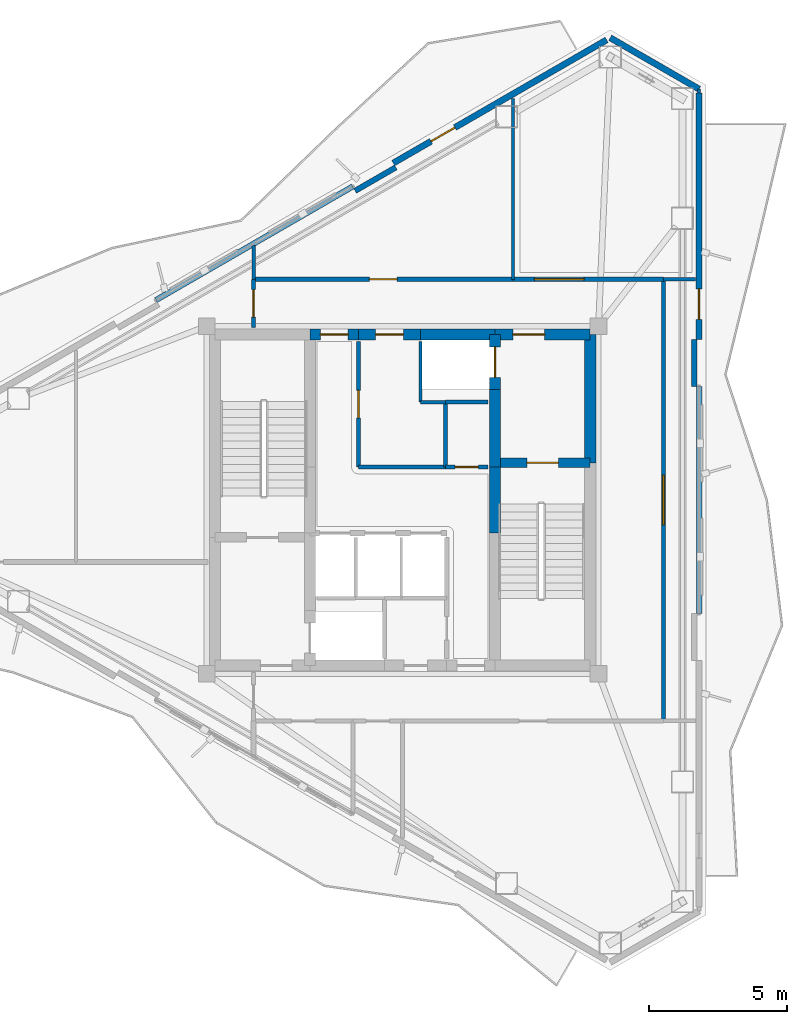
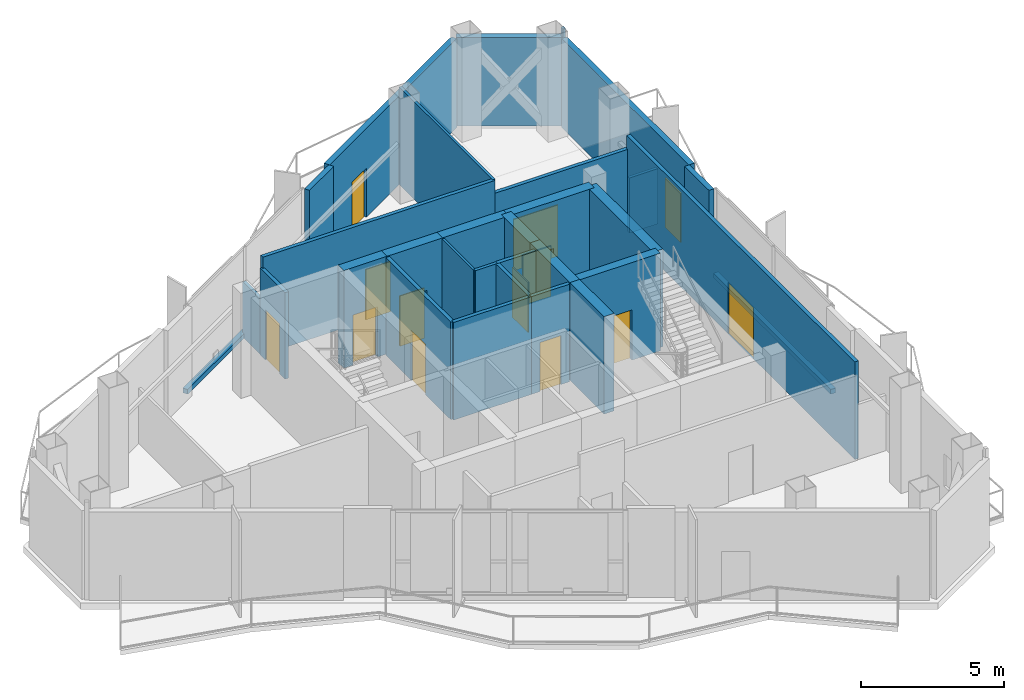
# One storey, part 11 of 14: 31 walls, 13 doors, 13 openings.
"""IFC4 building model written with IfcOpenShell, lengths in metres."""

from ifc_helpers import new_model, si_unit, direction, frame, frame_2d, origin, place, context, subcontext, project, spatial, rectangle, extrude, material, layer, layer_set, type_object, element, fill, save


model = new_model("IFC4")

# Units and contexts
model_context = context("Model", 3, precision=1e-05, world=origin(), true_north=direction((0.0, 1.0)))
body_context = subcontext(model_context, "Body", "Model", "MODEL_VIEW")
ifc_project = project(units=[si_unit("LENGTHUNIT", "METRE"), si_unit("AREAUNIT", "SQUARE_METRE"), si_unit("VOLUMEUNIT", "CUBIC_METRE"), si_unit("PLANEANGLEUNIT", "RADIAN"), si_unit("MASSUNIT", "GRAM", prefix="KILO")], contexts=[model_context])

# Site, building, storey
site_placement = place(None, origin())
site = spatial("IfcSite", under=ifc_project, at=site_placement, CompositionType="ELEMENT")
building_placement = place(site_placement, origin())
building = spatial("IfcBuilding", under=site, at=building_placement, Name="Mersakhor Tower and Convention Hall", CompositionType="ELEMENT")
storey_placement = place(building_placement, frame((0.0, 0.0, 254.10009765625)))
storey = spatial("IfcBuildingStorey", under=building, at=storey_placement, Name="L71", CompositionType="ELEMENT", Elevation=254.10009765625)

# Wall
ifc_material_1 = material(Name="Precast concrete C40/50", Category="concrete")
ifc_layer_1 = layer(ifc_material_1, 0.22509765625)
ifc_layer_set_1 = layer_set([ifc_layer_1], Name="Precast concrete C40/50")
wall_type_1 = type_object("IfcWallType", Name="WL-EXT-225", PredefinedType="SOLIDWALL", material=ifc_layer_set_1)
wall_1_placement = place(storey_placement, frame((36.525146484375, 43.49951171875, 0.0), z_axis=(0.0, 0.0, 1.0), x_axis=(0.866038962515, -0.499976514854, 0.0)))
element("IfcWall", 1, at=wall_1_placement, inside=storey, type_object=wall_type_1, Name="L71 Chamfer Braced Spandrel Wall C1", PredefinedType="SOLIDWALL", context=body_context, shape_type="SweptSolid", body=[
    extrude(rectangle(XDim=3.715576171875, YDim=0.22509765625, at=frame_2d((1.85791015625, 0.0))), origin(), (0.0, 0.0, 1.0), 3.7998046875),
])

# Wall, opening, door
wall_2_placement = place(storey_placement, frame((28.66357421875, 38.96044921875, 0.0), z_axis=(0.0, 0.0, 1.0), x_axis=(0.866026655105, 0.499997832642, 0.0)))
wall_2 = element("IfcWall", 2, at=wall_2_placement, inside=storey, type_object=wall_type_1, Name="L71 Exterior Facade Wall F1-B3", PredefinedType="SOLIDWALL", context=body_context, shape_type="SweptSolid", body=[
    extrude(rectangle(XDim=8.927734375, YDim=0.22509765625, at=frame_2d((4.4638671875, 0.0))), origin(), (0.0, 0.0, 1.0), 3.7998046875),
])
opening_1_placement = place(wall_2_placement, frame((1.575927734375, 0.0, 0.0)))
opening_1 = element("IfcOpeningElement", 3, at=opening_1_placement, cuts=wall_2, Name="Opening BD-01", PredefinedType="OPENING", context=body_context, shape_type="SweptSolid", body=[
    extrude(rectangle(XDim=1.0, YDim=2.10009765625, at=frame_2d((0.5, 1.050048828125))), frame((0.0, 0.12255859375, 0.0), z_axis=(0.0, -1.0, 0.0), x_axis=(1.0, 0.0, 0.0)), (0.0, 0.0, 1.0), 0.2451171875),
])
ifc_material_2 = material(Name="Thermally broken dark aluminium and safety glass", Category="aluminium")
door_type_1 = type_object("IfcDoorType", Name="DR-BAL-100x210", OperationType="NOTDEFINED", PredefinedType="DOOR", material=ifc_material_2)
door_1_placement = place(opening_1_placement, origin())
door_1 = element("IfcDoor", 4, at=door_1_placement, inside=storey, type_object=door_type_1, Name="L71 Balcony Terrace Door F1-B3", OperationType="SINGLE_SWING_LEFT", OverallHeight=2.10009765625, OverallWidth=1.0, PredefinedType="DOOR", context=body_context, shape_type="SweptSolid", body=[
    extrude(rectangle(XDim=1.0, YDim=2.10009765625, at=frame_2d((0.5, 1.050048828125))), frame((0.0, 0.02490234375, 0.0), z_axis=(0.0, -1.0, 0.0), x_axis=(1.0, 0.0, 0.0)), (0.0, 0.0, 1.0), 0.050048828125),
])
fill(opening_1, door_1)

wall_3_placement = place(storey_placement, frame((39.742919921875, 41.49169921875, 0.0), z_axis=(0.0, 0.0, 1.0), x_axis=(0.0, -1.0, 0.0)))
wall_3 = element("IfcWall", 5, at=wall_3_placement, inside=storey, type_object=wall_type_1, Name="L71 Exterior Facade Wall F2-B1", PredefinedType="SOLIDWALL", context=body_context, shape_type="SweptSolid", body=[
    extrude(rectangle(XDim=8.927734375, YDim=0.22509765625, at=frame_2d((4.4638671875, 0.0))), origin(), (0.0, 0.0, 1.0), 3.7998046875),
])
opening_2_placement = place(wall_3_placement, frame((7.090087890625, 0.0, 0.0)))
opening_2 = element("IfcOpeningElement", 6, at=opening_2_placement, cuts=wall_3, Name="Opening BD-02", PredefinedType="OPENING", context=body_context, shape_type="SweptSolid", body=[
    extrude(rectangle(XDim=1.10009765625, YDim=2.10009765625, at=frame_2d((0.550048828125, 1.050048828125))), frame((0.0, 0.12255859375, 0.0), z_axis=(0.0, -1.0, 0.0), x_axis=(1.0, 0.0, 0.0)), (0.0, 0.0, 1.0), 0.2451171875),
])
ifc_material_3 = material(Name="Thermally broken dark aluminium and safety glass", Category="aluminium")
door_type_2 = type_object("IfcDoorType", Name="DR-BAL-110x210", OperationType="NOTDEFINED", PredefinedType="DOOR", material=ifc_material_3)
door_2_placement = place(opening_2_placement, origin())
door_2 = element("IfcDoor", 7, at=door_2_placement, inside=storey, type_object=door_type_2, Name="L71 Balcony Terrace Door F2-B1", OperationType="SINGLE_SWING_RIGHT", OverallHeight=2.10009765625, OverallWidth=1.10009765625, PredefinedType="DOOR", context=body_context, shape_type="SweptSolid", body=[
    extrude(rectangle(XDim=1.10009765625, YDim=2.10009765625, at=frame_2d((0.550048828125, 1.050048828125))), frame((0.0, 0.02490234375, 0.0), z_axis=(0.0, -1.0, 0.0), x_axis=(1.0, 0.0, 0.0)), (0.0, 0.0, 1.0), 0.050048828125),
])
fill(opening_2, door_2)

# Walls
ifc_material_4 = material(Name="Precast concrete C40/50", Category="concrete")
ifc_layer_2 = layer(ifc_material_4, 0.199951171875)
ifc_layer_set_2 = layer_set([ifc_layer_2], Name="Precast concrete C40/50")
wall_type_2 = type_object("IfcWallType", Name="WL-PAR-200", PredefinedType="PARAPET", material=ifc_layer_set_2)
wall_4_placement = place(storey_placement, frame((20.06591796875, 33.99658203125, 0.0), z_axis=(0.0, 0.0, 1.0), x_axis=(0.866019557082, 0.500010126649, 0.0)))
element("IfcWall", 8, at=wall_4_placement, inside=storey, type_object=wall_type_2, Name="L71 Curtain Wall Upstand Sill F1-B2", PredefinedType="PARAPET", context=body_context, shape_type="SweptSolid", body=[
    extrude(rectangle(XDim=8.227783203125, YDim=0.199951171875, at=frame_2d((4.11376953125, 0.0))), origin(), (0.0, 0.0, 1.0), 0.199951171875),
])
wall_5_placement = place(storey_placement, frame((27.28125, 37.95458984375, 0.0), z_axis=(0.0, 0.0, 1.0), x_axis=(0.866025371046, 0.500000056704, 0.0)))
element("IfcWall", 9, at=wall_5_placement, inside=storey, type_object=wall_type_2, Name="L71 Column Pier Cladding Wall F1-C2", PredefinedType="PARAPET", context=body_context, shape_type="SweptSolid", body=[
    extrude(rectangle(XDim=1.7001953125, YDim=0.199951171875, at=frame_2d((0.85009765625, 0.0))), origin(), (0.0, 0.0, 1.0), 3.7998046875),
])
wall_6_placement = place(storey_placement, frame((39.742919921875, 30.864013671875, 0.0), z_axis=(0.0, 0.0, 1.0), x_axis=(0.0, -1.0, 0.0)))
element("IfcWall", 10, at=wall_6_placement, inside=storey, type_object=wall_type_2, Name="L71 Curtain Wall Upstand Sill F2-B2", PredefinedType="PARAPET", context=body_context, shape_type="SweptSolid", body=[
    extrude(rectangle(XDim=8.22802734375, YDim=0.199951171875, at=frame_2d((4.114013671875, 0.0))), origin(), (0.0, 0.0, 1.0), 0.199951171875),
])
wall_7_placement = place(storey_placement, frame((39.562744140625, 32.56396484375, 0.0), z_axis=(0.0, 0.0, 1.0), x_axis=(0.0, -1.0, 0.0)))
element("IfcWall", 11, at=wall_7_placement, inside=storey, type_object=wall_type_2, Name="L71 Column Pier Cladding Wall F2-C1", PredefinedType="PARAPET", context=body_context, shape_type="SweptSolid", body=[
    extrude(rectangle(XDim=1.699951171875, YDim=0.199951171875, at=frame_2d((0.85009765625, 0.0))), origin(), (0.0, 0.0, 1.0), 3.7998046875),
])
ifc_material_5 = material(Name="Lightweight gypsum partition", Category="other")
ifc_layer_3 = layer(ifc_material_5, 0.10009765625)
ifc_layer_set_3 = layer_set([ifc_layer_3], Name="Lightweight gypsum partition")
wall_type_3 = type_object("IfcWallType", Name="WL-PRT-100", PredefinedType="PARTITIONING", material=ifc_layer_set_3)
wall_8_placement = place(storey_placement, frame((29.64990234375, 30.300048828125, 0.0), z_axis=(0.0, 0.0, 1.0), x_axis=(0.0, 1.0, 0.0)))
element("IfcWall", 12, at=wall_8_placement, inside=storey, type_object=wall_type_3, Name="L71 Interior Partition Wall P-006", PredefinedType="PARTITIONING", context=body_context, shape_type="SweptSolid", body=[
    extrude(rectangle(XDim=2.199951171875, YDim=0.10009765625, at=frame_2d((1.10009765625, 0.0))), origin(), (0.0, 0.0, 1.0), 4.179931640625),
])
wall_9_placement = place(storey_placement, frame((33.0, 41.306396484375, 0.0), z_axis=(0.0, 0.0, 1.0), x_axis=(0.0, -1.0, 0.0)))
element("IfcWall", 13, at=wall_9_placement, inside=storey, type_object=wall_type_3, Name="L71 Interior Partition Wall P-030", PredefinedType="PARTITIONING", context=body_context, shape_type="SweptSolid", body=[
    extrude(rectangle(XDim=6.556396484375, YDim=0.10009765625, at=frame_2d((3.2783203125, 0.0))), origin(), (0.0, 0.0, 1.0), 4.179931640625),
])
wall_10_placement = place(storey_placement, frame((39.742919921875, 41.64208984375, 0.0), z_axis=(0.0, 0.0, 1.0), x_axis=(0.0, -1.0, 0.0)))
element("IfcWall", 14, at=wall_10_placement, inside=storey, type_object=wall_type_3, Name="L71 Interior Partition Wall P-032", PredefinedType="PARTITIONING", context=body_context, shape_type="SweptSolid", body=[
    extrude(rectangle(XDim=0.150390625, YDim=0.10009765625, at=frame_2d((0.0751953125, 0.0))), origin(), (0.0, 0.0, 1.0), 4.179931640625),
])
ifc_material_6 = material(Name="Gypsum board acoustic partition", Category="other")
ifc_layer_4 = layer(ifc_material_6, 0.125)
ifc_layer_set_4 = layer_set([ifc_layer_4], Name="Gypsum board acoustic partition")
wall_type_4 = type_object("IfcWallType", Name="WL-PRT-125", PredefinedType="PARTITIONING", material=ifc_layer_set_4)
wall_11_placement = place(storey_placement, frame((30.550048828125, 30.300048828125, 0.0), z_axis=(0.0, 0.0, 1.0), x_axis=(-1.0, 0.0, 0.0)))
element("IfcWall", 15, at=wall_11_placement, inside=storey, type_object=wall_type_4, Name="L71 Interior Partition Wall P-005", PredefinedType="PARTITIONING", context=body_context, shape_type="SweptSolid", body=[
    extrude(rectangle(XDim=0.900146484375, YDim=0.125, at=frame_2d((0.4501953125, 0.0))), origin(), (0.0, 0.0, 1.0), 4.179931640625),
])
wall_12_placement = place(storey_placement, frame((23.60009765625, 34.75, 0.0), z_axis=(0.0, 0.0, 1.0), x_axis=(0.0, 1.0, 0.0)))
element("IfcWall", 16, at=wall_12_placement, inside=storey, type_object=wall_type_4, Name="L71 Interior Partition Wall P-029", PredefinedType="PARTITIONING", context=body_context, shape_type="SweptSolid", body=[
    extrude(rectangle(XDim=1.229248046875, YDim=0.125, at=frame_2d((0.61474609375, 0.0))), origin(), (0.0, 0.0, 1.0), 2.364990234375),
])
wall_13_placement = place(storey_placement, frame((39.606201171875, 34.75, 0.0), z_axis=(0.0, 0.0, 1.0), x_axis=(-1.0, 0.0, 0.0)))
element("IfcWall", 17, at=wall_13_placement, inside=storey, type_object=wall_type_4, Name="L71 Interior Partition Wall P-031", PredefinedType="PARTITIONING", context=body_context, shape_type="SweptSolid", body=[
    extrude(rectangle(XDim=1.15625, YDim=0.125, at=frame_2d((0.578125, 0.0))), origin(), (0.0, 0.0, 1.0), 2.364990234375),
])
ifc_material_7 = material(Name="Fire-rated gypsum board stud partition", Category="other")
ifc_layer_5 = layer(ifc_material_7, 0.14990234375)
ifc_layer_set_5 = layer_set([ifc_layer_5], Name="Fire-rated gypsum board stud partition")
wall_type_5 = type_object("IfcWallType", Name="WL-PRT-150", PredefinedType="PARTITIONING", material=ifc_layer_set_5)
wall_14_placement = place(storey_placement, frame((32.10009765625, 30.300048828125, 0.0), z_axis=(0.0, 0.0, 1.0), x_axis=(-1.0, 0.0, 0.0)))
element("IfcWall", 18, at=wall_14_placement, inside=storey, type_object=wall_type_5, Name="L71 Interior Partition Wall P-004", PredefinedType="PARTITIONING", context=body_context, shape_type="SweptSolid", body=[
    extrude(rectangle(XDim=1.550048828125, YDim=0.14990234375, at=frame_2d((0.77490234375, 0.0))), origin(), (0.0, 0.0, 1.0), 4.179931640625),
])

# Wall, opening, door
wall_15_placement = place(storey_placement, frame((27.39990234375, 32.5, 0.0), z_axis=(0.0, 0.0, 1.0), x_axis=(0.0, -1.0, 0.0)))
wall_15 = element("IfcWall", 19, at=wall_15_placement, inside=storey, type_object=wall_type_5, Name="L71 Interior Partition Wall P-013", PredefinedType="PARTITIONING", context=body_context, shape_type="SweptSolid", body=[
    extrude(rectangle(XDim=4.550048828125, YDim=0.14990234375, at=frame_2d((2.27490234375, 0.0))), origin(), (0.0, 0.0, 1.0), 4.179931640625),
])
opening_3_placement = place(wall_15_placement, frame((1.77490234375, 0.0, 0.0)))
opening_3 = element("IfcOpeningElement", 20, at=opening_3_placement, cuts=wall_15, Name="Opening FD-01", PredefinedType="OPENING", context=body_context, shape_type="SweptSolid", body=[
    extrude(rectangle(XDim=1.0, YDim=2.14990234375, at=frame_2d((0.5, 1.074951171875))), frame((0.0, 0.0849609375, 0.0), z_axis=(0.0, -1.0, 0.0), x_axis=(1.0, 0.0, 0.0)), (0.0, 0.0, 1.0), 0.169921875),
])
ifc_material_8 = material(Name="Fire-rated hardwood leaf and painted steel frame", Category="steel")
door_type_3 = type_object("IfcDoorType", Name="DR-INT-FLT-100x215", OperationType="NOTDEFINED", PredefinedType="DOOR", material=ifc_material_8)
door_3_placement = place(opening_3_placement, origin())
door_3 = element("IfcDoor", 21, at=door_3_placement, inside=storey, type_object=door_type_3, Name="L71 Central Passenger Lift Lobby to Quiet Core Study Room Door", OperationType="SINGLE_SWING_RIGHT", OverallHeight=2.14990234375, OverallWidth=1.0, PredefinedType="DOOR", context=body_context, shape_type="SweptSolid", body=[
    extrude(rectangle(XDim=1.0, YDim=2.14990234375, at=frame_2d((0.5, 1.074951171875))), frame((0.0, 0.02490234375, 0.0), z_axis=(0.0, -1.0, 0.0), x_axis=(1.0, 0.0, 0.0)), (0.0, 0.0, 1.0), 0.050048828125),
])
fill(opening_3, door_3)

# Wall
wall_16_placement = place(storey_placement, frame((27.39990234375, 27.949951171875, 0.0), z_axis=(0.0, 0.0, 1.0), x_axis=(1.0, 0.0, 0.0)))
element("IfcWall", 22, at=wall_16_placement, inside=storey, type_object=wall_type_5, Name="L71 Interior Partition Wall P-014", PredefinedType="PARTITIONING", context=body_context, shape_type="SweptSolid", body=[
    extrude(rectangle(XDim=3.150146484375, YDim=0.14990234375, at=frame_2d((1.5751953125, 0.0))), origin(), (0.0, 0.0, 1.0), 4.179931640625),
])

# Wall, opening, door
wall_17_placement = place(storey_placement, frame((30.550048828125, 27.949951171875, 0.0), z_axis=(0.0, 0.0, 1.0), x_axis=(1.0, 0.0, 0.0)))
wall_17 = element("IfcWall", 23, at=wall_17_placement, inside=storey, type_object=wall_type_5, Name="L71 Interior Partition Wall P-015", PredefinedType="PARTITIONING", context=body_context, shape_type="SweptSolid", body=[
    extrude(rectangle(XDim=1.550048828125, YDim=0.14990234375, at=frame_2d((0.77490234375, 0.0))), origin(), (0.0, 0.0, 1.0), 4.179931640625),
])
opening_4_placement = place(wall_17_placement, frame((0.35009765625, 0.0, 0.0)))
opening_4 = element("IfcOpeningElement", 24, at=opening_4_placement, cuts=wall_17, Name="Opening SVD-01", PredefinedType="OPENING", context=body_context, shape_type="SweptSolid", body=[
    extrude(rectangle(XDim=0.85009765625, YDim=2.10009765625, at=frame_2d((0.425048828125, 1.050048828125))), frame((0.0, 0.0849609375, 0.0), z_axis=(0.0, -1.0, 0.0), x_axis=(1.0, 0.0, 0.0)), (0.0, 0.0, 1.0), 0.169921875),
])
ifc_material_9 = material(Name="Fire-rated hardwood leaf and painted steel frame", Category="steel")
door_type_4 = type_object("IfcDoorType", Name="DR-INT-SVC-085x210", OperationType="NOTDEFINED", PredefinedType="DOOR", material=ifc_material_9)
door_4_placement = place(opening_4_placement, origin())
door_4 = element("IfcDoor", 25, at=door_4_placement, inside=storey, type_object=door_type_4, Name="L71 Central Passenger Lift Lobby to Housekeeping Linen Store Room Door", OperationType="SINGLE_SWING_LEFT", OverallHeight=2.10009765625, OverallWidth=0.85009765625, PredefinedType="DOOR", context=body_context, shape_type="SweptSolid", body=[
    extrude(rectangle(XDim=0.85009765625, YDim=2.10009765625, at=frame_2d((0.425048828125, 1.050048828125))), frame((0.0, 0.02490234375, 0.0), z_axis=(0.0, -1.0, 0.0), x_axis=(1.0, 0.0, 0.0)), (0.0, 0.0, 1.0), 0.050048828125),
])
fill(opening_4, door_4)

wall_18_placement = place(storey_placement, frame((23.60009765625, 33.0, 0.0), z_axis=(0.0, 0.0, 1.0), x_axis=(0.0, 1.0, 0.0)))
wall_18 = element("IfcWall", 26, at=wall_18_placement, inside=storey, type_object=wall_type_5, Name="L71 Interior Partition Wall P-016", PredefinedType="PARTITIONING", context=body_context, shape_type="SweptSolid", body=[
    extrude(rectangle(XDim=1.75, YDim=0.14990234375, at=frame_2d((0.875, 0.0))), origin(), (0.0, 0.0, 1.0), 3.704833984375),
])
opening_5_placement = place(wall_18_placement, frame((0.375, 0.0, 0.0)))
opening_5 = element("IfcOpeningElement", 27, at=opening_5_placement, cuts=wall_18, Name="Opening FD-01", PredefinedType="OPENING", context=body_context, shape_type="SweptSolid", body=[
    extrude(rectangle(XDim=1.0, YDim=2.14990234375, at=frame_2d((0.5, 1.074951171875))), frame((0.0, 0.0849609375, 0.0), z_axis=(0.0, -1.0, 0.0), x_axis=(1.0, 0.0, 0.0)), (0.0, 0.0, 1.0), 0.169921875),
])
door_5_placement = place(opening_5_placement, origin())
door_5 = element("IfcDoor", 28, at=door_5_placement, inside=storey, type_object=door_type_3, Name="L71 L71 Sky-Lobby Corridor to West Panorama Garden Lounge Annex Door", OperationType="SINGLE_SWING_RIGHT", OverallHeight=2.14990234375, OverallWidth=1.0, PredefinedType="DOOR", context=body_context, shape_type="SweptSolid", body=[
    extrude(rectangle(XDim=1.0, YDim=2.14990234375, at=frame_2d((0.5, 1.074951171875))), frame((0.0, 0.02490234375, 0.0), z_axis=(0.0, -1.0, 0.0), x_axis=(1.0, 0.0, 0.0)), (0.0, 0.0, 1.0), 0.050048828125),
])
fill(opening_5, door_5)

wall_19_placement = place(storey_placement, frame((23.60009765625, 34.75, 0.0), z_axis=(0.0, 0.0, 1.0), x_axis=(1.0, 0.0, 0.0)))
wall_19 = element("IfcWall", 29, at=wall_19_placement, inside=storey, type_object=wall_type_5, Name="L71 Interior Partition Wall P-017", PredefinedType="PARTITIONING", context=body_context, shape_type="SweptSolid", body=[
    extrude(rectangle(XDim=9.39990234375, YDim=0.14990234375, at=frame_2d((4.699951171875, 0.0))), origin(), (0.0, 0.0, 1.0), 4.179931640625),
])
opening_6_placement = place(wall_19_placement, frame((4.199951171875, 0.0, 0.0)))
opening_6 = element("IfcOpeningElement", 30, at=opening_6_placement, cuts=wall_19, Name="Opening FD-01", PredefinedType="OPENING", context=body_context, shape_type="SweptSolid", body=[
    extrude(rectangle(XDim=1.0, YDim=2.14990234375, at=frame_2d((0.5, 1.074951171875))), frame((0.0, 0.0849609375, 0.0), z_axis=(0.0, -1.0, 0.0), x_axis=(1.0, 0.0, 0.0)), (0.0, 0.0, 1.0), 0.169921875),
])
door_6_placement = place(opening_6_placement, origin())
door_6 = element("IfcDoor", 31, at=door_6_placement, inside=storey, type_object=door_type_3, Name="L71 L71 Sky-Lobby Corridor to North Botanical Conservatory Lounge Door", OperationType="SINGLE_SWING_LEFT", OverallHeight=2.14990234375, OverallWidth=1.0, PredefinedType="DOOR", context=body_context, shape_type="SweptSolid", body=[
    extrude(rectangle(XDim=1.0, YDim=2.14990234375, at=frame_2d((0.5, 1.074951171875))), frame((0.0, 0.02490234375, 0.0), z_axis=(0.0, -1.0, 0.0), x_axis=(1.0, 0.0, 0.0)), (0.0, 0.0, 1.0), 0.050048828125),
])
fill(opening_6, door_6)

wall_20_placement = place(storey_placement, frame((33.0, 34.75, 0.0), z_axis=(0.0, 0.0, 1.0), x_axis=(1.0, 0.0, 0.0)))
wall_20 = element("IfcWall", 32, at=wall_20_placement, inside=storey, type_object=wall_type_5, Name="L71 Interior Partition Wall P-018", PredefinedType="PARTITIONING", context=body_context, shape_type="SweptSolid", body=[
    extrude(rectangle(XDim=5.449951171875, YDim=0.14990234375, at=frame_2d((2.72509765625, 0.0))), origin(), (0.0, 0.0, 1.0), 3.628173828125),
])
opening_7_placement = place(wall_20_placement, frame((0.778076171875, 0.0, 0.0)))
opening_7 = element("IfcOpeningElement", 33, at=opening_7_placement, cuts=wall_20, Name="Opening HD-01", PredefinedType="OPENING", context=body_context, shape_type="SweptSolid", body=[
    extrude(rectangle(XDim=1.800048828125, YDim=2.199951171875, at=frame_2d((0.89990234375, 1.10009765625))), frame((0.0, 0.0849609375, 0.0), z_axis=(0.0, -1.0, 0.0), x_axis=(1.0, 0.0, 0.0)), (0.0, 0.0, 1.0), 0.169921875),
])
ifc_material_10 = material(Name="Fire-rated hardwood leaf and painted steel frame", Category="steel")
door_type_5 = type_object("IfcDoorType", Name="DR-INT-HALL-180x220", OperationType="NOTDEFINED", PredefinedType="DOOR", material=ifc_material_10)
door_7_placement = place(opening_7_placement, origin())
door_7 = element("IfcDoor", 34, at=door_7_placement, inside=storey, type_object=door_type_5, Name="L71 L71 Sky-Lobby Corridor to Subtropical Palm Solarium Hall Door", OperationType="DOUBLE_DOOR_SINGLE_SWING", OverallHeight=2.199951171875, OverallWidth=1.800048828125, PredefinedType="DOOR", context=body_context, shape_type="SweptSolid", body=[
    extrude(rectangle(XDim=1.800048828125, YDim=2.199951171875, at=frame_2d((0.89990234375, 1.10009765625))), frame((0.0, 0.02490234375, 0.0), z_axis=(0.0, -1.0, 0.0), x_axis=(1.0, 0.0, 0.0)), (0.0, 0.0, 1.0), 0.050048828125),
])
fill(opening_7, door_7)

wall_21_placement = place(storey_placement, frame((38.449951171875, 34.75, 0.0), z_axis=(0.0, 0.0, 1.0), x_axis=(0.0, -1.0, 0.0)))
wall_21 = element("IfcWall", 35, at=wall_21_placement, inside=storey, type_object=wall_type_5, Name="L71 Interior Partition Wall P-019", PredefinedType="PARTITIONING", context=body_context, shape_type="SweptSolid", body=[
    extrude(rectangle(XDim=16.0, YDim=0.14990234375, at=frame_2d((8.0, 0.0))), origin(), (0.0, 0.0, 1.0), 4.179931640625),
])
opening_8_placement = place(wall_21_placement, frame((7.10009765625, 0.0, 0.0)))
opening_8 = element("IfcOpeningElement", 36, at=opening_8_placement, cuts=wall_21, Name="Opening HD-01", PredefinedType="OPENING", context=body_context, shape_type="SweptSolid", body=[
    extrude(rectangle(XDim=1.800048828125, YDim=2.199951171875, at=frame_2d((0.89990234375, 1.10009765625))), frame((0.0, 0.0849609375, 0.0), z_axis=(0.0, -1.0, 0.0), x_axis=(1.0, 0.0, 0.0)), (0.0, 0.0, 1.0), 0.169921875),
])
door_8_placement = place(opening_8_placement, origin())
door_8 = element("IfcDoor", 37, at=door_8_placement, inside=storey, type_object=door_type_5, Name="L71 L71 Sky-Lobby Corridor to East Bay Sky-Garden Tea Room Door", OperationType="DOUBLE_DOOR_SINGLE_SWING", OverallHeight=2.199951171875, OverallWidth=1.800048828125, PredefinedType="DOOR", context=body_context, shape_type="SweptSolid", body=[
    extrude(rectangle(XDim=1.800048828125, YDim=2.199951171875, at=frame_2d((0.89990234375, 1.10009765625))), frame((0.0, 0.02490234375, 0.0), z_axis=(0.0, -1.0, 0.0), x_axis=(1.0, 0.0, 0.0)), (0.0, 0.0, 1.0), 0.050048828125),
])
fill(opening_8, door_8)

# Wall
wall_22_placement = place(storey_placement, frame((30.550048828125, 30.300048828125, 0.0), z_axis=(0.0, 0.0, 1.0), x_axis=(0.0, -1.0, 0.0)))
element("IfcWall", 38, at=wall_22_placement, inside=storey, type_object=wall_type_5, Name="L71 Interior Partition Wall P-028", PredefinedType="PARTITIONING", context=body_context, shape_type="SweptSolid", body=[
    extrude(rectangle(XDim=2.35009765625, YDim=0.14990234375, at=frame_2d((1.175048828125, 0.0))), origin(), (0.0, 0.0, 1.0), 4.179931640625),
])

# Wall, opening, door
ifc_material_11 = material(Name="Concrete C50/60", Category="concrete")
ifc_layer_6 = layer(ifc_material_11, 0.35009765625)
ifc_layer_set_6 = layer_set([ifc_layer_6], Name="Concrete C50/60")
wall_type_6 = type_object("IfcWallType", Name="WL-SHR-350", PredefinedType="SHEAR", material=ifc_layer_set_6)
wall_23_placement = place(storey_placement, frame((32.35009765625, 28.10009765625, 0.0), z_axis=(0.0, 0.0, 1.0), x_axis=(1.0, 0.0, 0.0)))
wall_23 = element("IfcWall", 39, at=wall_23_placement, inside=storey, type_object=wall_type_6, Name="L71 Core Wall CS-ST2-N", PredefinedType="SHEAR", context=body_context, shape_type="SweptSolid", body=[
    extrude(rectangle(XDim=3.449951171875, YDim=0.35009765625, at=frame_2d((1.72509765625, 0.0))), origin(), (0.0, 0.0, 1.0), 4.179931640625),
])
opening_9_placement = place(wall_23_placement, frame((1.14990234375, 0.0, 0.0)))
opening_9 = element("IfcOpeningElement", 40, at=opening_9_placement, cuts=wall_23, Name="Opening SD-01", PredefinedType="OPENING", context=body_context, shape_type="SweptSolid", body=[
    extrude(rectangle(XDim=1.14990234375, YDim=2.14990234375, at=frame_2d((0.574951171875, 1.074951171875))), frame((0.0, 0.18505859375, 0.0), z_axis=(0.0, -1.0, 0.0), x_axis=(1.0, 0.0, 0.0)), (0.0, 0.0, 1.0), 0.3701171875),
])
ifc_material_12 = material(Name="Fire-rated hardwood leaf and painted steel frame", Category="steel")
door_type_6 = type_object("IfcDoorType", Name="DR-INT-STAIR-115x215", OperationType="NOTDEFINED", PredefinedType="DOOR", material=ifc_material_12)
door_9_placement = place(opening_9_placement, origin())
door_9 = element("IfcDoor", 41, at=door_9_placement, inside=storey, type_object=door_type_6, Name="L71 Exit Stair ST-2 Enclosure Door", OperationType="SINGLE_SWING_RIGHT", OverallHeight=2.14990234375, OverallWidth=1.14990234375, PredefinedType="DOOR", context=body_context, shape_type="SweptSolid", body=[
    extrude(rectangle(XDim=1.14990234375, YDim=2.14990234375, at=frame_2d((0.574951171875, 1.074951171875))), frame((0.0, 0.02490234375, 0.0), z_axis=(0.0, -1.0, 0.0), x_axis=(1.0, 0.0, 0.0)), (0.0, 0.0, 1.0), 0.050048828125),
])
fill(opening_9, door_9)

ifc_material_13 = material(Name="Concrete C60/75", Category="concrete")
ifc_layer_7 = layer(ifc_material_13, 0.39990234375)
ifc_layer_set_7 = layer_set([ifc_layer_7], Name="Concrete C60/75")
wall_type_7 = type_object("IfcWallType", Name="WL-SHR-400", PredefinedType="SHEAR", material=ifc_layer_set_7)
wall_24_placement = place(storey_placement, frame((25.64990234375, 32.75, 0.0), z_axis=(0.0, 0.0, 1.0), x_axis=(1.0, 0.0, 0.0)))
wall_24 = element("IfcWall", 42, at=wall_24_placement, inside=storey, type_object=wall_type_7, Name="L71 Core Wall CW-N2A", PredefinedType="SHEAR", context=body_context, shape_type="SweptSolid", body=[
    extrude(rectangle(XDim=1.75, YDim=0.39990234375, at=frame_2d((0.875, 0.0))), origin(), (0.0, 0.0, 1.0), 4.179931640625),
])
opening_10_placement = place(wall_24_placement, frame((0.375, 0.0, 0.0)))
opening_10 = element("IfcOpeningElement", 43, at=opening_10_placement, cuts=wall_24, Name="Opening CFD-01", PredefinedType="OPENING", context=body_context, shape_type="SweptSolid", body=[
    extrude(rectangle(XDim=1.0, YDim=2.14990234375, at=frame_2d((0.5, 1.074951171875))), frame((0.0, 0.2099609375, 0.0), z_axis=(0.0, -1.0, 0.0), x_axis=(1.0, 0.0, 0.0)), (0.0, 0.0, 1.0), 0.419921875),
])
ifc_material_14 = material(Name="Fire-rated hardwood leaf and painted steel frame", Category="steel")
door_type_7 = type_object("IfcDoorType", Name="DR-CORE-FD-100x215", OperationType="NOTDEFINED", PredefinedType="DOOR", material=ifc_material_14)
door_10_placement = place(opening_10_placement, origin())
door_10 = element("IfcDoor", 44, at=door_10_placement, inside=storey, type_object=door_type_7, Name="L71 Lift Lobby North Corridor Door", OperationType="SINGLE_SWING_LEFT", OverallHeight=2.14990234375, OverallWidth=1.0, PredefinedType="DOOR", context=body_context, shape_type="SweptSolid", body=[
    extrude(rectangle(XDim=1.0, YDim=2.14990234375, at=frame_2d((0.5, 1.074951171875))), frame((0.0, 0.02490234375, 0.0), z_axis=(0.0, -1.0, 0.0), x_axis=(1.0, 0.0, 0.0)), (0.0, 0.0, 1.0), 0.050048828125),
])
fill(opening_10, door_10)

wall_25_placement = place(storey_placement, frame((27.39990234375, 32.75, 0.0), z_axis=(0.0, 0.0, 1.0), x_axis=(1.0, 0.0, 0.0)))
wall_25 = element("IfcWall", 45, at=wall_25_placement, inside=storey, type_object=wall_type_7, Name="L71 Core Wall CW-N2B", PredefinedType="SHEAR", context=body_context, shape_type="SweptSolid", body=[
    extrude(rectangle(XDim=2.25, YDim=0.39990234375, at=frame_2d((1.125, 0.0))), origin(), (0.0, 0.0, 1.0), 4.179931640625),
])
opening_11_placement = place(wall_25_placement, frame((0.625, 0.0, 0.0)))
opening_11 = element("IfcOpeningElement", 46, at=opening_11_placement, cuts=wall_25, Name="Opening FD-01", PredefinedType="OPENING", context=body_context, shape_type="SweptSolid", body=[
    extrude(rectangle(XDim=1.0, YDim=2.14990234375, at=frame_2d((0.5, 1.074951171875))), frame((0.0, 0.2099609375, 0.0), z_axis=(0.0, -1.0, 0.0), x_axis=(1.0, 0.0, 0.0)), (0.0, 0.0, 1.0), 0.419921875),
])
door_11_placement = place(opening_11_placement, origin())
door_11 = element("IfcDoor", 47, at=door_11_placement, inside=storey, type_object=door_type_3, Name="L71 L71 Sky-Lobby Corridor to Quiet Core Study Room Door", OperationType="SINGLE_SWING_LEFT", OverallHeight=2.14990234375, OverallWidth=1.0, PredefinedType="DOOR", context=body_context, shape_type="SweptSolid", body=[
    extrude(rectangle(XDim=1.0, YDim=2.14990234375, at=frame_2d((0.5, 1.074951171875))), frame((0.0, 0.02490234375, 0.0), z_axis=(0.0, -1.0, 0.0), x_axis=(1.0, 0.0, 0.0)), (0.0, 0.0, 1.0), 0.050048828125),
])
fill(opening_11, door_11)

# Wall
wall_26_placement = place(storey_placement, frame((29.64990234375, 32.75, 0.0), z_axis=(0.0, 0.0, 1.0), x_axis=(1.0, 0.0, 0.0)))
element("IfcWall", 48, at=wall_26_placement, inside=storey, type_object=wall_type_7, Name="L71 Core Wall CW-N3", PredefinedType="SHEAR", context=body_context, shape_type="SweptSolid", body=[
    extrude(rectangle(XDim=2.7001953125, YDim=0.39990234375, at=frame_2d((1.35009765625, 0.0))), origin(), (0.0, 0.0, 1.0), 4.179931640625),
])

# Wall, opening, door
wall_27_placement = place(storey_placement, frame((32.35009765625, 32.75, 0.0), z_axis=(0.0, 0.0, 1.0), x_axis=(1.0, 0.0, 0.0)))
wall_27 = element("IfcWall", 49, at=wall_27_placement, inside=storey, type_object=wall_type_7, Name="L71 Core Wall CW-N4", PredefinedType="SHEAR", context=body_context, shape_type="SweptSolid", body=[
    extrude(rectangle(XDim=3.449951171875, YDim=0.39990234375, at=frame_2d((1.72509765625, 0.0))), origin(), (0.0, 0.0, 1.0), 4.179931640625),
])
opening_12_placement = place(wall_27_placement, frame((0.64990234375, 0.0, 0.0)))
opening_12 = element("IfcOpeningElement", 50, at=opening_12_placement, cuts=wall_27, Name="Opening SD-01", PredefinedType="OPENING", context=body_context, shape_type="SweptSolid", body=[
    extrude(rectangle(XDim=1.14990234375, YDim=2.14990234375, at=frame_2d((0.574951171875, 1.074951171875))), frame((0.0, 0.2099609375, 0.0), z_axis=(0.0, -1.0, 0.0), x_axis=(1.0, 0.0, 0.0)), (0.0, 0.0, 1.0), 0.419921875),
])
door_12_placement = place(opening_12_placement, origin())
door_12 = element("IfcDoor", 51, at=door_12_placement, inside=storey, type_object=door_type_6, Name="L71 Firefighting Lobby East Fire Door", OperationType="SINGLE_SWING_RIGHT", OverallHeight=2.14990234375, OverallWidth=1.14990234375, PredefinedType="DOOR", context=body_context, shape_type="SweptSolid", body=[
    extrude(rectangle(XDim=1.14990234375, YDim=2.14990234375, at=frame_2d((0.574951171875, 1.074951171875))), frame((0.0, 0.02490234375, 0.0), z_axis=(0.0, -1.0, 0.0), x_axis=(1.0, 0.0, 0.0)), (0.0, 0.0, 1.0), 0.050048828125),
])
fill(opening_12, door_12)

# Walls
wall_28_placement = place(storey_placement, frame((35.800048828125, 32.75, 0.0), z_axis=(0.0, 0.0, 1.0), x_axis=(0.0, -1.0, 0.0)))
element("IfcWall", 52, at=wall_28_placement, inside=storey, type_object=wall_type_7, Name="L71 Core Wall CW-E1", PredefinedType="SHEAR", context=body_context, shape_type="SweptSolid", body=[
    extrude(rectangle(XDim=4.64990234375, YDim=0.39990234375, at=frame_2d((2.324951171875, 0.0))), origin(), (0.0, 0.0, 1.0), 4.179931640625),
])
wall_29_placement = place(storey_placement, frame((32.35009765625, 25.550048828125, 0.0), z_axis=(0.0, 0.0, 1.0), x_axis=(0.0, 1.0, 0.0)))
element("IfcWall", 53, at=wall_29_placement, inside=storey, type_object=wall_type_7, Name="L71 Core Wall CS-E-LOB", PredefinedType="SHEAR", context=body_context, shape_type="SweptSolid", body=[
    extrude(rectangle(XDim=2.39990234375, YDim=0.39990234375, at=frame_2d((1.199951171875, 0.0))), origin(), (0.0, 0.0, 1.0), 4.179931640625),
])
wall_30_placement = place(storey_placement, frame((32.35009765625, 27.949951171875, 0.0), z_axis=(0.0, 0.0, 1.0), x_axis=(0.0, 1.0, 0.0)))
element("IfcWall", 54, at=wall_30_placement, inside=storey, type_object=wall_type_7, Name="L71 Core Wall CS-E-MID", PredefinedType="SHEAR", context=body_context, shape_type="SweptSolid", body=[
    extrude(rectangle(XDim=2.800048828125, YDim=0.39990234375, at=frame_2d((1.39990234375, 0.0))), origin(), (0.0, 0.0, 1.0), 4.179931640625),
])

# Wall, opening, door
wall_31_placement = place(storey_placement, frame((32.35009765625, 30.75, 0.0), z_axis=(0.0, 0.0, 1.0), x_axis=(0.0, 1.0, 0.0)))
wall_31 = element("IfcWall", 55, at=wall_31_placement, inside=storey, type_object=wall_type_7, Name="L71 Core Wall CS-E-FFL", PredefinedType="SHEAR", context=body_context, shape_type="SweptSolid", body=[
    extrude(rectangle(XDim=2.0, YDim=0.39990234375, at=frame_2d((1.0, 0.0))), origin(), (0.0, 0.0, 1.0), 4.179931640625),
])
opening_13_placement = place(wall_31_placement, frame((0.449951171875, 0.0, 0.0)))
opening_13 = element("IfcOpeningElement", 56, at=opening_13_placement, cuts=wall_31, Name="Opening LD-FFL2", PredefinedType="OPENING", context=body_context, shape_type="SweptSolid", body=[
    extrude(rectangle(XDim=1.10009765625, YDim=2.14990234375, at=frame_2d((0.550048828125, 1.074951171875))), frame((0.0, 0.2099609375, 0.0), z_axis=(0.0, -1.0, 0.0), x_axis=(1.0, 0.0, 0.0)), (0.0, 0.0, 1.0), 0.419921875),
])
ifc_material_15 = material(Name="Fire-rated brushed stainless steel sliding landing door", Category="steel")
door_type_8 = type_object("IfcDoorType", Name="DR-LIFT-SLD-110x215", OperationType="NOTDEFINED", PredefinedType="DOOR", material=ifc_material_15)
door_13_placement = place(opening_13_placement, origin())
door_13 = element("IfcDoor", 57, at=door_13_placement, inside=storey, type_object=door_type_8, Name="L71 Firefighting Lift Landing Door LD-FFL2", OperationType="SLIDING_TO_LEFT", OverallHeight=2.14990234375, OverallWidth=1.10009765625, PredefinedType="DOOR", context=body_context, shape_type="SweptSolid", body=[
    extrude(rectangle(XDim=1.10009765625, YDim=2.14990234375, at=frame_2d((0.550048828125, 1.074951171875))), frame((0.0, 0.02490234375, 0.0), z_axis=(0.0, -1.0, 0.0), x_axis=(1.0, 0.0, 0.0)), (0.0, 0.0, 1.0), 0.050048828125),
])
fill(opening_13, door_13)

save(model, "model.ifc")
